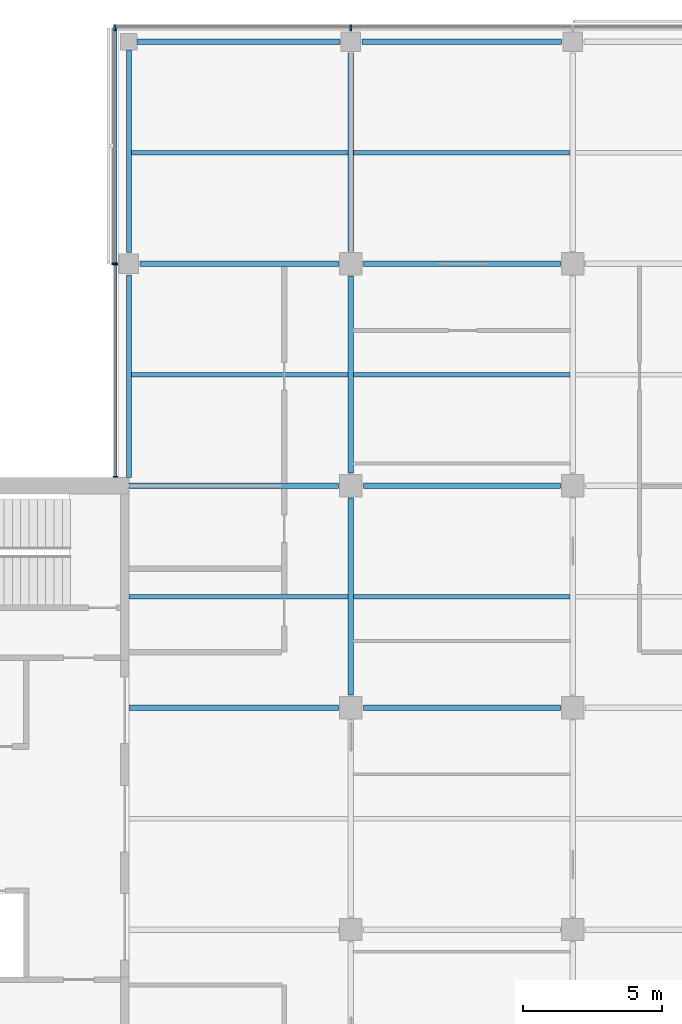
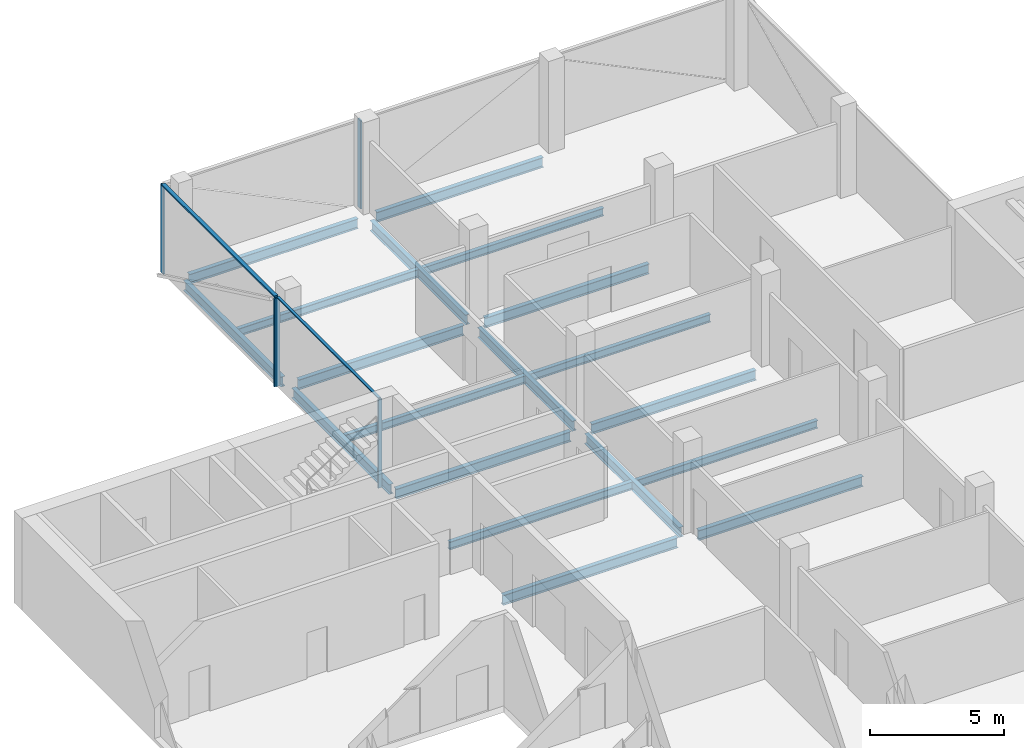
# One storey, part 5 of 15: 19 beams, 7 members, 3 elements without a shape of their own.
"""IFC4 building model written with IfcOpenShell, lengths in metres."""

import ifcopenshell
import ifcopenshell.guid

model = None  # the IFC model being written
_history = None  # IfcOwnerHistory: only IFC2X3 demands one
_inside = {}  # id of a spatial element -> (the spatial element, [elements in it])
_under = {}  # id of a project, library or spatial element -> (it, [spatial elements below it])
_declared = {}  # id of a project -> (the project, [libraries it declares])
_typed = {}  # id of a type object -> (the type object, [elements of that type])
_made_of = {}  # id of a material, layer set ... -> (it, [elements and type objects made of it])


def new_model(schema):
    """Start an empty IFC model of exactly this schema.

    Asked for "IFC4X3", IfcOpenShell would pick the latest addendum, in which some entities
    have other attributes; the version numbers below select the first issue.
    IFC2X3 requires an IfcOwnerHistory on every rooted entity: one is made here for all.
    """
    global model, _history
    if schema == "IFC4X3":
        model = ifcopenshell.file(schema_version=(4, 3, 0, 0))
    else:
        model = ifcopenshell.file(schema=schema)
    _inside.clear()
    _under.clear()
    _declared.clear()
    _typed.clear()
    _made_of.clear()
    _history = None
    if model.schema == "IFC2X3":
        org = make("IfcOrganization", Name="unknown")
        user = make(
            "IfcPersonAndOrganization",
            ThePerson=make("IfcPerson", FamilyName="unknown"),
            TheOrganization=org,
        )
        app = make(
            "IfcApplication",
            ApplicationDeveloper=org,
            Version="unknown",
            ApplicationFullName="unknown",
            ApplicationIdentifier="unknown",
        )
        _history = make(
            "IfcOwnerHistory",
            OwningUser=user,
            OwningApplication=app,
            ChangeAction="ADDED",
            CreationDate=0,
        )
    return model


def make(cls, **values):
    """One entity of the class cls with the attributes given. An attribute that is None is left unset."""
    return model.create_entity(
        cls, **{name: value for name, value in values.items() if value is not None}
    )


def rooted(cls, **values):
    """An entity with a GlobalId (a new one), such as an element, a storey or a relation."""
    return make(cls, GlobalId=ifcopenshell.guid.new(), OwnerHistory=_history, **values)


def si_unit(unit_type, name, prefix=None):
    """IfcSIUnit, for example si_unit("LENGTHUNIT", "METRE", prefix="MILLI")."""
    return make("IfcSIUnit", UnitType=unit_type, Prefix=prefix, Name=name)


def assignment(units):
    """IfcUnitAssignment: the units of a project."""
    return None if units is None else make("IfcUnitAssignment", Units=units)


def point(xyz):
    """IfcCartesianPoint."""
    return None if xyz is None else make("IfcCartesianPoint", Coordinates=xyz)


def direction(xyz):
    """IfcDirection."""
    return None if xyz is None else make("IfcDirection", DirectionRatios=xyz)


def frame(location, z_axis=None, x_axis=None):
    """IfcAxis2Placement3D, a coordinate frame: its origin and axes. An axis left out is left unset."""
    return make(
        "IfcAxis2Placement3D",
        Location=point(location),
        Axis=direction(z_axis),
        RefDirection=direction(x_axis),
    )


def frame_2d(location, x_axis=None):
    """IfcAxis2Placement2D, a coordinate frame in the plane: its origin and x axis."""
    return make(
        "IfcAxis2Placement2D", Location=point(location), RefDirection=direction(x_axis)
    )


def origin():
    """The frame at (0, 0, 0) with its axes left unset."""
    return frame((0.0, 0.0, 0.0))


def origin_2d():
    """The frame at (0, 0) in the plane with its x axis left unset."""
    return frame_2d((0.0, 0.0))


def place(relative_to, where):
    """IfcLocalPlacement: puts the frame where relative to a parent placement (None: the world)."""
    return make(
        "IfcLocalPlacement", PlacementRelTo=relative_to, RelativePlacement=where
    )


def context(
    kind, dimensions, precision=None, world=None, true_north=None, identifier=None
):
    """IfcGeometricRepresentationContext, for example the 3D "Model" context."""
    return make(
        "IfcGeometricRepresentationContext",
        ContextIdentifier=identifier,
        ContextType=kind,
        CoordinateSpaceDimension=dimensions,
        Precision=precision,
        WorldCoordinateSystem=world,
        TrueNorth=true_north,
    )


def subcontext(parent, identifier, kind, view, scale=None):
    """IfcGeometricRepresentationSubContext, for example "Body" below "Model"."""
    return make(
        "IfcGeometricRepresentationSubContext",
        ContextIdentifier=identifier,
        ContextType=kind,
        ParentContext=parent,
        TargetScale=scale,
        TargetView=view,
    )


def project(units=None, contexts=None):
    """IfcProject with its units and contexts."""
    return rooted(
        "IfcProject",
        Name="project",
        RepresentationContexts=contexts,
        UnitsInContext=assignment(units),
    )


def spatial(cls, under=None, at=None, **own):
    """A site, building, storey or space (cls), placed at a placement, below another one or the project."""
    s = rooted(cls, ObjectPlacement=at, **own)
    if under is not None:
        _under.setdefault(under.id(), (under, []))[1].append(s)
    return s


def profile(cls, at=None, kind="AREA", **sizes):
    """A parametric profile (cls). Its sizes go by their IFC names, for example OverallWidth=200.0."""
    return make(cls, ProfileType=kind, Position=at, **sizes)


def rectangle(**sizes):
    """IfcRectangleProfileDef."""
    return profile("IfcRectangleProfileDef", **sizes)


def i_section(**sizes):
    """IfcIShapeProfileDef."""
    return profile("IfcIShapeProfileDef", **sizes)


def extrude(swept, where, along, depth):
    """IfcExtrudedAreaSolid: the profile swept, set in the frame where, extruded along a direction by depth."""
    return make(
        "IfcExtrudedAreaSolid",
        SweptArea=swept,
        Position=where,
        ExtrudedDirection=direction(along),
        Depth=depth,
    )


def shape(context_of_items, identifier, shape_type, items):
    """IfcShapeRepresentation: the items that make up one representation, for example the "Body"."""
    return make(
        "IfcShapeRepresentation",
        ContextOfItems=context_of_items,
        RepresentationIdentifier=identifier,
        RepresentationType=shape_type,
        Items=items,
    )


def material(Name=None, Category=None):
    """IfcMaterial."""
    return make("IfcMaterial", Name=Name, Category=Category)


def material_profile(
    of_material, cross_section, Name=None, Category=None, Priority=None
):
    """IfcMaterialProfile: a cross section and its material."""
    return make(
        "IfcMaterialProfile",
        Name=Name,
        Material=of_material,
        Profile=cross_section,
        Priority=Priority,
        Category=Category,
    )


def profile_set(profiles, Name=None, composite=None):
    """IfcMaterialProfileSet."""
    return make(
        "IfcMaterialProfileSet",
        Name=Name,
        MaterialProfiles=profiles,
        CompositeProfile=composite,
    )


def made_of(thing, what):
    """Note that an element or type object is made of a material, layer set ...; save() writes the relation."""
    if what is not None:
        _made_of.setdefault(what.id(), (what, []))[1].append(thing)
    return thing


def type_object(cls, material=None, **own):
    """A type object (cls), such as IfcWallType, which elements share."""
    return made_of(rooted(cls, **own), material)


def element(
    cls,
    number,
    at=None,
    inside=None,
    cuts=None,
    type_object=None,
    material=None,
    context=None,
    identifier="Body",
    shape_type=None,
    held_by="IfcProductDefinitionShape",
    body=None,
    shapes=None,
    **own,
):
    """One element of the class cls, such as IfcWall. Its Tag is "e" and its number.

    at: its placement. inside: the storey or other place that contains it. cuts: it is an
    opening in that element (IfcRelVoidsElement). A single representation is given by context,
    identifier, shape_type and body (its items); several are given by shapes. held_by: the class
    of the entity that holds the representations. save() writes the other relations.
    """
    e = rooted(cls, Tag="e%d" % number, ObjectPlacement=at, **own)
    if body is not None:
        shapes = [shape(context, identifier, shape_type, body)]
    if shapes is not None:
        e.Representation = make(held_by, Representations=shapes)
    if inside is not None:
        _inside.setdefault(inside.id(), (inside, []))[1].append(e)
    if cuts is not None:
        rooted(
            "IfcRelVoidsElement", RelatingBuildingElement=cuts, RelatedOpeningElement=e
        )
    if type_object is not None:
        _typed.setdefault(type_object.id(), (type_object, []))[1].append(e)
    return made_of(e, material)


def aggregate(whole, parts):
    """IfcRelAggregates: a whole, such as a stair, and the parts it consists of."""
    return rooted("IfcRelAggregates", RelatingObject=whole, RelatedObjects=parts)


def save(model, path):
    """Write the relations noted so far, then the file.

    IfcRelAggregates (storeys below a building ...), IfcRelContainedInSpatialStructure (elements
    in a storey), IfcRelDefinesByType, IfcRelAssociatesMaterial and IfcRelDeclares: one each for
    every whole, place, type object, material and project.
    """
    for whole, parts in _under.values():
        aggregate(whole, parts)
    for where, things in _inside.values():
        rooted(
            "IfcRelContainedInSpatialStructure",
            RelatedElements=things,
            RelatingStructure=where,
        )
    for kind, things in _typed.values():
        rooted("IfcRelDefinesByType", RelatedObjects=things, RelatingType=kind)
    for what, things in _made_of.values():
        rooted("IfcRelAssociatesMaterial", RelatedObjects=things, RelatingMaterial=what)
    for by, libraries in _declared.values():
        rooted("IfcRelDeclares", RelatingContext=by, RelatedDefinitions=libraries)
    model.write(path)


model = new_model("IFC4")

# Units and contexts
model_context = context("Model", 3, precision=1e-05, world=origin(), true_north=direction((0.0, 1.0)))
body_context = subcontext(model_context, "Body", "Model", "MODEL_VIEW")
ifc_project = project(units=[si_unit("LENGTHUNIT", "METRE"), si_unit("AREAUNIT", "SQUARE_METRE"), si_unit("VOLUMEUNIT", "CUBIC_METRE"), si_unit("PLANEANGLEUNIT", "RADIAN"), si_unit("MASSUNIT", "GRAM", prefix="KILO")], contexts=[model_context])

# Site, building, storey
site_placement = place(None, origin())
site = spatial("IfcSite", under=ifc_project, at=site_placement, CompositionType="ELEMENT")
building_placement = place(site_placement, origin())
building = spatial("IfcBuilding", under=site, at=building_placement, Name="Crosswind Convention Tower", CompositionType="ELEMENT")
storey_placement = place(building_placement, frame((0.0, 0.0, 233.5)))
storey = spatial("IfcBuildingStorey", under=building, at=storey_placement, Name="L50", CompositionType="ELEMENT", Elevation=233.5)

# Beams
ifc_material_1 = material(Name="Steel S355", Category="steel")
ifc_material_profile_1 = material_profile(ifc_material_1, i_section(OverallWidth=0.18994140625, OverallDepth=0.45361328125, WebThickness=0.008544921875, FlangeThickness=0.0126953125, FilletRadius=0.01025390625, at=origin_2d()), Name="UB 457x191x67")
ifc_profile_set_1 = profile_set([ifc_material_profile_1], Name="Steel S355")
beam_type_1 = type_object("IfcBeamType", Name="Edge beam UB 457x191x67", PredefinedType="SPANDREL", material=ifc_profile_set_1)
for number, where, z_axis, x_axis, name in (
    (1, (113.0, 112.300048828125, -0.52685546875), (0.0, 1.0, 0.0), (-1.0, 0.0, 0.0), "B16 L50 edge beam 3"),
    (2, (113.0, 120.39990234375, -0.52685546875), (0.0, 1.0, 0.0), (-1.0, 0.0, 0.0), "B16 L50 edge beam 4"),
    (3, (113.300048828125, 128.0, -0.52685546875), (1.0, 0.0, 0.0), (0.0, 1.0, 0.0), "B16 L50 edge beam 6"),
):
    element("IfcBeam", number, at=place(storey_placement, frame(where, z_axis=z_axis, x_axis=x_axis)), inside=storey, type_object=beam_type_1, Name=name, PredefinedType="SPANDREL", context=body_context, shape_type="SweptSolid", body=[
        extrude(i_section(OverallWidth=0.18994140625, OverallDepth=0.45361328125, WebThickness=0.008544921875, FlangeThickness=0.0126953125, FilletRadius=0.01025390625, at=origin_2d()), origin(), (0.0, 0.0, 1.0), 7.300048828125),
    ])
beam_1_placement = place(storey_placement, frame((121.39990234375, 128.0, -0.52685546875), z_axis=(1.0, 0.0, 0.0), x_axis=(0.0, 1.0, 0.0)))
element("IfcBeam", 4, at=beam_1_placement, inside=storey, type_object=beam_type_1, Name="B16 L50 edge beam 8", PredefinedType="SPANDREL", context=body_context, shape_type="SweptSolid", body=[
    extrude(i_section(OverallWidth=0.18994140625, OverallDepth=0.45361328125, WebThickness=0.008544921875, FlangeThickness=0.0126953125, FilletRadius=0.01025390625, at=origin_2d()), origin(), (0.0, 0.0, 1.0), 7.2001953125),
])
ifc_material_profile_2 = material_profile(ifc_material_1, i_section(OverallWidth=0.1904296875, OverallDepth=0.457275390625, WebThickness=0.009033203125, FlangeThickness=0.014404296875, FilletRadius=0.01025390625, at=origin_2d()), Name="UB 457x191x75")
ifc_profile_set_2 = profile_set([ifc_material_profile_2], Name="Steel S355")
beam_type_2 = type_object("IfcBeamType", Name="Girder UB 457x191x75", PredefinedType="BEAM", material=ifc_profile_set_2)
beam_2_placement = place(storey_placement, frame((113.39990234375, 120.0, -0.528564453125), z_axis=(1.0, 0.0, 0.0), x_axis=(0.0, 1.0, 0.0)))
element("IfcBeam", 5, at=beam_2_placement, inside=storey, type_object=beam_type_2, Name="B2 L50 girder 2", PredefinedType="BEAM", context=body_context, shape_type="SweptSolid", body=[
    extrude(i_section(OverallWidth=0.1904296875, OverallDepth=0.457275390625, WebThickness=0.009033203125, FlangeThickness=0.014404296875, FilletRadius=0.01025390625, at=origin_2d()), origin(), (0.0, 0.0, 1.0), 7.150146484375),
])
for number, where, z_axis, x_axis, name in (
    (6, (121.0, 104.449951171875, -0.528564453125), (0.0, 1.0, 0.0), (-1.0, 0.0, 0.0), "B2 L50 girder 7"),
    (7, (121.0, 112.449951171875, -0.528564453125), (0.0, 1.0, 0.0), (-1.0, 0.0, 0.0), "B2 L50 girder 8"),
):
    element("IfcBeam", number, at=place(storey_placement, frame(where, z_axis=z_axis, x_axis=x_axis)), inside=storey, type_object=beam_type_2, Name=name, PredefinedType="BEAM", context=body_context, shape_type="SweptSolid", body=[
        extrude(i_section(OverallWidth=0.1904296875, OverallDepth=0.457275390625, WebThickness=0.009033203125, FlangeThickness=0.014404296875, FilletRadius=0.01025390625, at=origin_2d()), origin(), (0.0, 0.0, 1.0), 7.10009765625),
    ])
beam_3_placement = place(storey_placement, frame((121.0, 120.449951171875, -0.528564453125), z_axis=(0.0, 1.0, 0.0), x_axis=(-1.0, 0.0, 0.0)))
element("IfcBeam", 8, at=beam_3_placement, inside=storey, type_object=beam_type_2, Name="B2 L50 girder 9", PredefinedType="BEAM", context=body_context, shape_type="SweptSolid", body=[
    extrude(i_section(OverallWidth=0.1904296875, OverallDepth=0.457275390625, WebThickness=0.009033203125, FlangeThickness=0.014404296875, FilletRadius=0.01025390625, at=origin_2d()), origin(), (0.0, 0.0, 1.0), 7.150146484375),
])
for number, where, z_axis, x_axis, name in (
    (9, (121.449951171875, 104.0, -0.528564453125), (1.0, 0.0, 0.0), (0.0, 1.0, 0.0), "B2 L50 girder 13"),
    (10, (121.449951171875, 112.0, -0.528564453125), (1.0, 0.0, 0.0), (0.0, 1.0, 0.0), "B2 L50 girder 14"),
    (11, (121.449951171875, 120.0, -0.528564453125), (1.0, 0.0, 0.0), (0.0, 1.0, 0.0), "B2 L50 girder 15"),
):
    element("IfcBeam", number, at=place(storey_placement, frame(where, z_axis=z_axis, x_axis=x_axis)), inside=storey, type_object=beam_type_2, Name=name, PredefinedType="BEAM", context=body_context, shape_type="SweptSolid", body=[
        extrude(i_section(OverallWidth=0.1904296875, OverallDepth=0.457275390625, WebThickness=0.009033203125, FlangeThickness=0.014404296875, FilletRadius=0.01025390625, at=origin_2d()), origin(), (0.0, 0.0, 1.0), 7.10009765625),
    ])
ifc_material_profile_3 = material_profile(ifc_material_1, i_section(OverallWidth=0.19140625, OverallDepth=0.460205078125, WebThickness=0.010009765625, FlangeThickness=0.01611328125, FilletRadius=0.01025390625, at=origin_2d()), Name="UB 457x191x82")
ifc_profile_set_3 = profile_set([ifc_material_profile_3], Name="Steel S355")
beam_type_3 = type_object("IfcBeamType", Name="Girder at core wall UB 457x191x82", PredefinedType="BEAM", material=ifc_profile_set_3)
for number, where, z_axis, x_axis, name in (
    (12, (113.0, 104.0, -0.530029296875), (1.0, 0.0, 0.0), (0.0, 1.0, 0.0), "B23 L50 girder at core wall 3"),
    (13, (113.0, 112.0, -0.530029296875), (1.0, 0.0, 0.0), (0.0, 1.0, 0.0), "B23 L50 girder at core wall 4"),
):
    element("IfcBeam", number, at=place(storey_placement, frame(where, z_axis=z_axis, x_axis=x_axis)), inside=storey, type_object=beam_type_3, Name=name, PredefinedType="BEAM", context=body_context, shape_type="SweptSolid", body=[
        extrude(i_section(OverallWidth=0.19140625, OverallDepth=0.460205078125, WebThickness=0.010009765625, FlangeThickness=0.01611328125, FilletRadius=0.01025390625, at=origin_2d()), origin(), (0.0, 0.0, 1.0), 7.550048828125),
    ])

# Curtain wall, members
ifc_material_2 = material(Name="Aluminium unitised curtain wall", Category="aluminium")
curtain_wall_type_1 = type_object("IfcCurtainWallType", Name="CORE END SLOT WALL 160", PredefinedType="USERDEFINED", material=ifc_material_2)
curtain_wall_1_placement = place(storey_placement, origin())
curtain_wall_1 = element("IfcCurtainWall", 14, at=curtain_wall_1_placement, inside=storey, type_object=curtain_wall_type_1, Name="CW6 L50 N-W.1-2 slot", ObjectType="UNITISED", PredefinedType="USERDEFINED")
ifc_material_3 = material(Name="Aluminium mullion", Category="aluminium")
ifc_material_profile_4 = material_profile(ifc_material_3, rectangle(XDim=0.159912109375, YDim=0.050048828125, at=origin_2d()), Name="AL 160X50")
ifc_profile_set_4 = profile_set([ifc_material_profile_4], Name="Aluminium mullion")
member_type_1 = type_object("IfcMemberType", Name="MULLION 50X160", PredefinedType="MULLION", material=ifc_profile_set_4)
member_1_placement = place(storey_placement, frame((112.52001953125, 119.97509765625, -0.300048828125), z_axis=(0.0, 0.0, 1.0), x_axis=(-1.0, 0.0, 0.0)))
member_1 = element("IfcMember", 15, at=member_1_placement, type_object=member_type_1, Name="CW6 mullion 1", PredefinedType="MULLION", context=body_context, shape_type="SweptSolid", body=[
    extrude(rectangle(XDim=0.159912109375, YDim=0.050048828125, at=origin_2d()), origin(), (0.0, 0.0, 1.0), 4.050048828125),
])
member_2_placement = place(storey_placement, frame((112.52001953125, 112.324951171875, -0.300048828125), z_axis=(0.0, 0.0, 1.0), x_axis=(-1.0, 0.0, 0.0)))
member_2 = element("IfcMember", 16, at=member_2_placement, type_object=member_type_1, Name="CW6 mullion 2", PredefinedType="MULLION", context=body_context, shape_type="SweptSolid", body=[
    extrude(rectangle(XDim=0.159912109375, YDim=0.050048828125, at=origin_2d()), origin(), (0.0, 0.0, 1.0), 4.050048828125),
])

curtain_wall_type_2 = type_object("IfcCurtainWallType", Name="OFFICE UNITISED WALL 220", PredefinedType="USERDEFINED", material=ifc_material_2)
curtain_wall_2_placement = place(storey_placement, origin())
curtain_wall_2 = element("IfcCurtainWall", 17, at=curtain_wall_2_placement, inside=storey, type_object=curtain_wall_type_2, Name="CW3 L50 N-TIP 1", ObjectType="UNITISED", PredefinedType="USERDEFINED")
ifc_material_profile_5 = material_profile(ifc_material_3, rectangle(XDim=0.219970703125, YDim=0.070068359375, at=origin_2d()), Name="AL 220X70")
ifc_profile_set_5 = profile_set([ifc_material_profile_5], Name="Aluminium mullion")
member_type_2 = type_object("IfcMemberType", Name="MULLION 70X220", PredefinedType="MULLION", material=ifc_profile_set_5)
member_3_placement = place(storey_placement, frame((121.0, 128.510009765625, -0.300048828125), z_axis=(0.0, 0.0, 1.0), x_axis=(0.0, 1.0, 0.0)))
member_3 = element("IfcMember", 18, at=member_3_placement, type_object=member_type_2, Name="CW3 mullion 3", PredefinedType="MULLION", context=body_context, shape_type="SweptSolid", body=[
    extrude(rectangle(XDim=0.219970703125, YDim=0.070068359375, at=origin_2d()), origin(), (0.0, 0.0, 1.0), 4.030029296875),
])
member_4_placement = place(storey_placement, frame((112.489990234375, 128.510009765625, -0.300048828125), z_axis=(0.0, 0.0, 1.0), x_axis=(0.0, 1.0, 0.0)))
member_4 = element("IfcMember", 19, at=member_4_placement, type_object=member_type_2, Name="CW3 mullion 4", PredefinedType="MULLION", context=body_context, shape_type="SweptSolid", body=[
    extrude(rectangle(XDim=0.219970703125, YDim=0.070068359375, at=origin_2d()), origin(), (0.0, 0.0, 1.0), 4.030029296875),
])
aggregate(curtain_wall_2, [member_3, member_4])

# Curtain wall, member
curtain_wall_3_placement = place(storey_placement, origin())
curtain_wall_3 = element("IfcCurtainWall", 20, at=curtain_wall_3_placement, inside=storey, type_object=curtain_wall_type_2, Name="CW3 L50 N-W 1", ObjectType="UNITISED", PredefinedType="USERDEFINED")
member_5_placement = place(storey_placement, frame((112.489990234375, 120.0, -0.300048828125), z_axis=(0.0, 0.0, 1.0), x_axis=(-1.0, 0.0, 0.0)))
member_5 = element("IfcMember", 21, at=member_5_placement, type_object=member_type_2, Name="CW3 mullion 2", PredefinedType="MULLION", context=body_context, shape_type="SweptSolid", body=[
    extrude(rectangle(XDim=0.219970703125, YDim=0.070068359375, at=origin_2d()), origin(), (0.0, 0.0, 1.0), 4.030029296875),
])

# Beams
ifc_material_profile_6 = material_profile(ifc_material_1, i_section(OverallWidth=0.172119140625, OverallDepth=0.358642578125, WebThickness=0.008056640625, FlangeThickness=0.012939453125, FilletRadius=0.01025390625, at=origin_2d()), Name="UB 356x171x57")
ifc_profile_set_6 = profile_set([ifc_material_profile_6], Name="Steel S355")
beam_type_4 = type_object("IfcBeamType", Name="Secondary beam UB 356x171x57", PredefinedType="JOIST", material=ifc_profile_set_6)
beam_4_placement = place(storey_placement, frame((113.0, 108.0, -0.479248046875), z_axis=(1.0, 0.0, 0.0), x_axis=(0.0, 1.0, 0.0)))
element("IfcBeam", 22, at=beam_4_placement, inside=storey, type_object=beam_type_4, Name="B9 L50 secondary beam 3", PredefinedType="JOIST", context=body_context, shape_type="SweptSolid", body=[
    extrude(i_section(OverallWidth=0.172119140625, OverallDepth=0.358642578125, WebThickness=0.008056640625, FlangeThickness=0.012939453125, FilletRadius=0.01025390625, at=origin_2d()), origin(), (0.0, 0.0, 1.0), 7.90478515625),
])
for number, where, z_axis, x_axis, name in (
    (23, (113.094970703125, 116.0, -0.479248046875), (1.0, 0.0, 0.0), (0.0, 1.0, 0.0), "B9 L50 secondary beam 6"),
    (24, (113.094970703125, 124.0, -0.479248046875), (1.0, 0.0, 0.0), (0.0, 1.0, 0.0), "B9 L50 secondary beam 7"),
):
    element("IfcBeam", number, at=place(storey_placement, frame(where, z_axis=z_axis, x_axis=x_axis)), inside=storey, type_object=beam_type_4, Name=name, PredefinedType="JOIST", context=body_context, shape_type="SweptSolid", body=[
        extrude(i_section(OverallWidth=0.172119140625, OverallDepth=0.358642578125, WebThickness=0.008056640625, FlangeThickness=0.012939453125, FilletRadius=0.01025390625, at=origin_2d()), origin(), (0.0, 0.0, 1.0), 7.809814453125),
    ])
for number, where, z_axis, x_axis, name in (
    (25, (121.09521484375, 108.0, -0.479248046875), (1.0, 0.0, 0.0), (0.0, 1.0, 0.0), "B9 L50 secondary beam 12"),
    (26, (121.09521484375, 116.0, -0.479248046875), (1.0, 0.0, 0.0), (0.0, 1.0, 0.0), "B9 L50 secondary beam 13"),
    (27, (121.09521484375, 124.0, -0.479248046875), (1.0, 0.0, 0.0), (0.0, 1.0, 0.0), "B9 L50 secondary beam 14"),
):
    element("IfcBeam", number, at=place(storey_placement, frame(where, z_axis=z_axis, x_axis=x_axis)), inside=storey, type_object=beam_type_4, Name=name, PredefinedType="JOIST", context=body_context, shape_type="SweptSolid", body=[
        extrude(i_section(OverallWidth=0.172119140625, OverallDepth=0.358642578125, WebThickness=0.008056640625, FlangeThickness=0.012939453125, FilletRadius=0.01025390625, at=origin_2d()), origin(), (0.0, 0.0, 1.0), 7.8095703125),
    ])

# Member
ifc_material_4 = material(Name="Aluminium transom", Category="aluminium")
ifc_material_profile_7 = material_profile(ifc_material_4, rectangle(XDim=0.1201171875, YDim=0.050048828125, at=origin_2d()), Name="AL 120X50")
ifc_profile_set_7 = profile_set([ifc_material_profile_7], Name="Aluminium transom")
member_type_3 = type_object("IfcMemberType", Name="TRANSOM 50X120", PredefinedType="USERDEFINED", material=ifc_profile_set_7)
member_6_placement = place(storey_placement, frame((112.52001953125, 119.949951171875, 3.77490234375), z_axis=(0.0, -1.0, 0.0), x_axis=(1.0, 0.0, 0.0)))
member_6 = element("IfcMember", 28, at=member_6_placement, type_object=member_type_3, Name="CW6 transom", ObjectType="TRANSOM", PredefinedType="USERDEFINED", context=body_context, shape_type="SweptSolid", body=[
    extrude(rectangle(XDim=0.1201171875, YDim=0.050048828125, at=origin_2d()), origin(), (0.0, 0.0, 1.0), 7.599853515625),
])

aggregate(curtain_wall_1, [member_1, member_2, member_6])

ifc_material_profile_8 = material_profile(ifc_material_4, rectangle(XDim=0.159912109375, YDim=0.070068359375, at=origin_2d()), Name="AL 160X70")
ifc_profile_set_8 = profile_set([ifc_material_profile_8], Name="Aluminium transom")
member_type_4 = type_object("IfcMemberType", Name="TRANSOM 70X160", PredefinedType="USERDEFINED", material=ifc_profile_set_8)
member_7_placement = place(storey_placement, frame((112.489990234375, 128.47509765625, 3.764892578125), z_axis=(0.0, -1.0, 0.0), x_axis=(1.0, 0.0, 0.0)))
member_7 = element("IfcMember", 29, at=member_7_placement, type_object=member_type_4, Name="CW3 transom", ObjectType="TRANSOM", PredefinedType="USERDEFINED", context=body_context, shape_type="SweptSolid", body=[
    extrude(rectangle(XDim=0.159912109375, YDim=0.070068359375, at=origin_2d()), origin(), (0.0, 0.0, 1.0), 8.440185546875),
])

aggregate(curtain_wall_3, [member_5, member_7])

save(model, "model.ifc")
